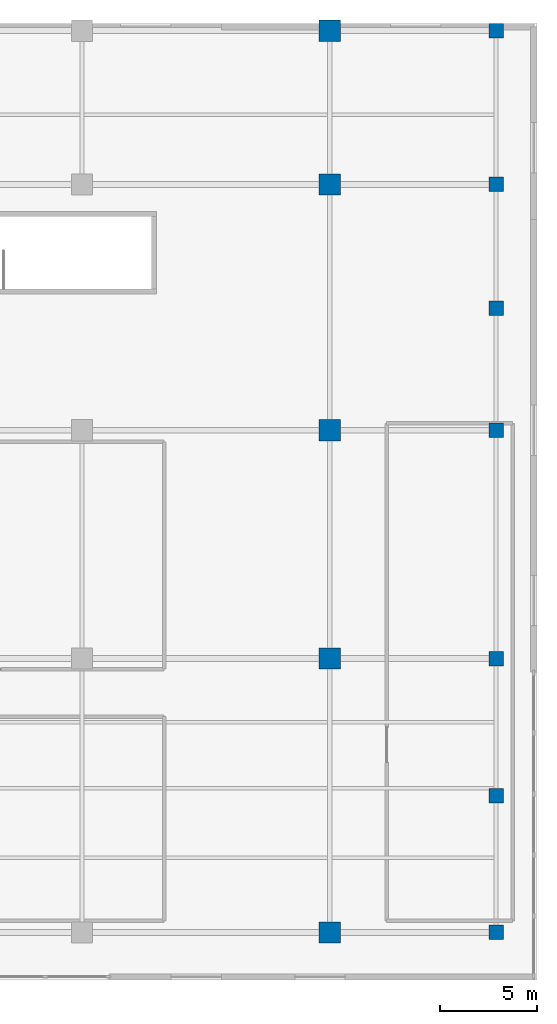
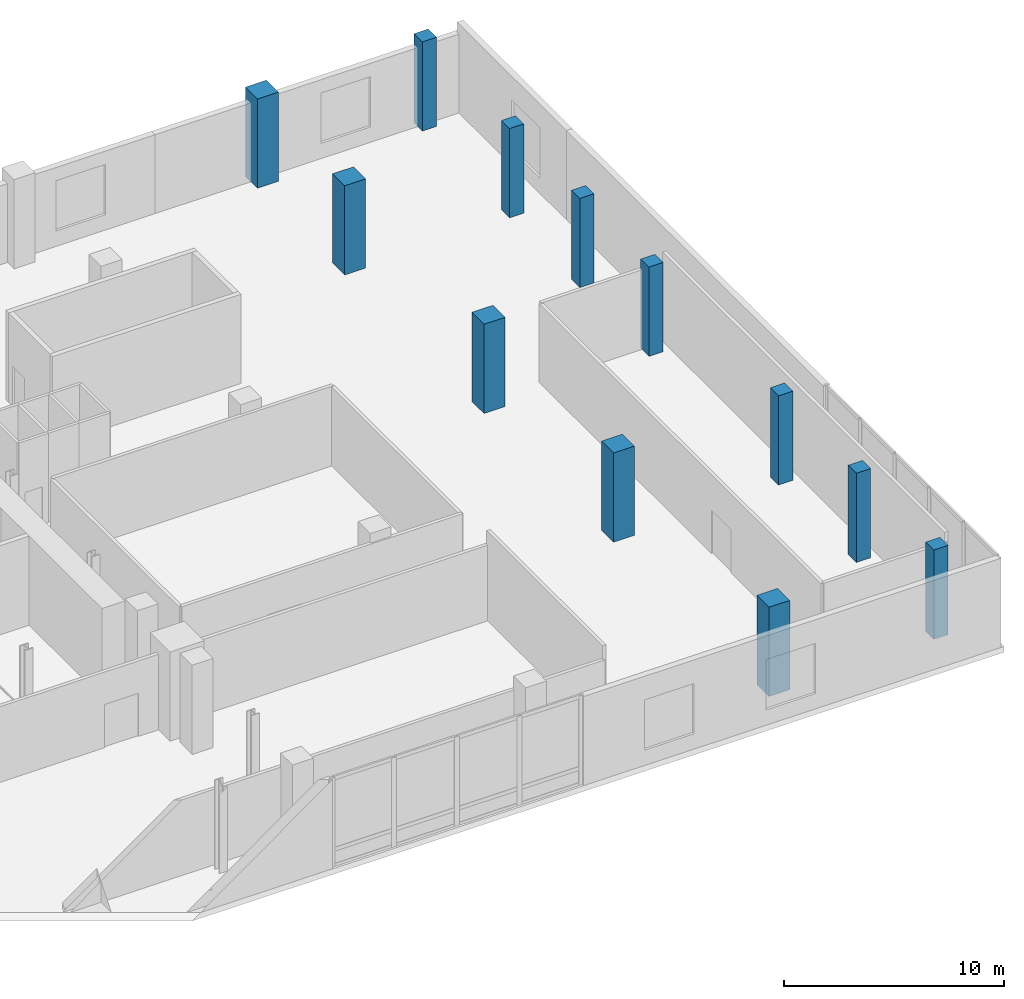
# One storey, part 2 of 13: 12 columns.
"""IFC4 building model written with IfcOpenShell, lengths in metres."""

from ifc_helpers import new_model, si_unit, direction, frame, origin, origin_2d, place, context, subcontext, project, spatial, rectangle, extrude, source, transform, mapped, material, material_profile, profile_set, type_object, element, save


model = new_model("IFC4")

# Units and contexts
model_context = context("Model", 3, precision=1e-05, world=origin(), true_north=direction((0.0, 1.0)))
body_context = subcontext(model_context, "Body", "Model", "MODEL_VIEW")
ifc_project = project(units=[si_unit("LENGTHUNIT", "METRE"), si_unit("AREAUNIT", "SQUARE_METRE"), si_unit("VOLUMEUNIT", "CUBIC_METRE"), si_unit("PLANEANGLEUNIT", "RADIAN"), si_unit("MASSUNIT", "GRAM", prefix="KILO")], contexts=[model_context])

# Site, building, storey
site_placement = place(None, origin())
site = spatial("IfcSite", under=ifc_project, at=site_placement, CompositionType="ELEMENT")
building_placement = place(site_placement, origin())
building = spatial("IfcBuilding", under=site, at=building_placement, Name="Vardaveli Station Tower", CompositionType="ELEMENT")
storey_placement = place(building_placement, frame((0.0, 0.0, 22.39990234375)))
storey = spatial("IfcBuildingStorey", under=building, at=storey_placement, Name="L05", CompositionType="ELEMENT", Elevation=22.39990234375)

# Columns
ifc_material_1 = material(Name="Concrete C60/75", Category="concrete")
ifc_material_profile_1 = material_profile(ifc_material_1, rectangle(XDim=1.10009765625, YDim=1.10009765625, at=origin_2d()), Name="RC 1100x1100")
ifc_profile_set_1 = profile_set([ifc_material_profile_1], Name="Concrete C60/75")
column_type_1 = type_object("IfcColumnType", Name="COL-RC-1100", PredefinedType="COLUMN", material=ifc_profile_set_1)
shared_shape_1 = source(origin(), body_context, "Body", "SweptSolid", [
    extrude(rectangle(XDim=1.10009765625, YDim=1.10009765625, at=origin_2d()), origin(), (0.0, 0.0, 1.0), 4.960205078125),
])
for number, where, z_axis, x_axis, name in (
    (1, (72.800048828125, 2.949951171875, 0.0), (0.0, 0.0, 1.0), (1.0, 0.0, 0.0), "COL-L05-SC07"),
    (2, (72.800048828125, 17.10009765625, 0.0), (0.0, 0.0, 1.0), (1.0, 0.0, 0.0), "COL-L05-SC15"),
    (3, (72.800048828125, 28.89990234375, 0.0), (0.0, 0.0, 1.0), (1.0, 0.0, 0.0), "COL-L05-SC19"),
    (4, (72.800048828125, 41.60009765625, 0.0), (0.0, 0.0, 1.0), (1.0, 0.0, 0.0), "COL-L05-SC27"),
    (5, (72.800048828125, 49.550048828125, 0.0), (0.0, 0.0, 1.0), (1.0, 0.0, 0.0), "COL-L05-SC36"),
):
    element("IfcColumn", number, at=place(storey_placement, frame(where, z_axis=z_axis, x_axis=x_axis)), inside=storey, type_object=column_type_1, Name=name, PredefinedType="COLUMN", context=body_context, shape_type="MappedRepresentation", body=[
        mapped(shared_shape_1, transform((0.0, 0.0, 0.0), scale=1.0)),
    ])
ifc_material_2 = material(Name="Precast concrete C45/55", Category="concrete")
ifc_material_profile_2 = material_profile(ifc_material_2, rectangle(XDim=0.75, YDim=0.75, at=origin_2d()), Name="LPF 750x750")
ifc_profile_set_2 = profile_set([ifc_material_profile_2], Name="Precast concrete C45/55")
column_type_2 = type_object("IfcColumnType", Name="COL-LPF-750", PredefinedType="COLUMN", material=ifc_profile_set_2)
shared_shape_2 = source(origin(), body_context, "Body", "SweptSolid", [
    extrude(rectangle(XDim=0.75, YDim=0.75, at=origin_2d()), origin(), (0.0, 0.0, 1.0), 4.960205078125),
])
for number, where, z_axis, x_axis, name in (
    (6, (81.39990234375, 2.949951171875, 0.0), (0.0, 0.0, 1.0), (1.0, 0.0, 0.0), "COL-L05-EC01"),
    (7, (81.39990234375, 10.0, 0.0), (0.0, 0.0, 1.0), (1.0, 0.0, 0.0), "COL-L05-EC02"),
    (8, (81.39990234375, 17.10009765625, 0.0), (0.0, 0.0, 1.0), (1.0, 0.0, 0.0), "COL-L05-EC03"),
    (9, (81.39990234375, 28.89990234375, 0.0), (0.0, 0.0, 1.0), (1.0, 0.0, 0.0), "COL-L05-EC04"),
    (10, (81.39990234375, 35.199951171875, 0.0), (0.0, 0.0, 1.0), (1.0, 0.0, 0.0), "COL-L05-EC05"),
    (11, (81.39990234375, 41.60009765625, 0.0), (0.0, 0.0, 1.0), (1.0, 0.0, 0.0), "COL-L05-EC06"),
    (12, (81.39990234375, 49.550048828125, 0.0), (0.0, 0.0, 1.0), (1.0, 0.0, 0.0), "COL-L05-EC07"),
):
    element("IfcColumn", number, at=place(storey_placement, frame(where, z_axis=z_axis, x_axis=x_axis)), inside=storey, type_object=column_type_2, Name=name, PredefinedType="COLUMN", context=body_context, shape_type="MappedRepresentation", body=[
        mapped(shared_shape_2, transform((0.0, 0.0, 0.0), scale=1.0)),
    ])

save(model, "model.ifc")
